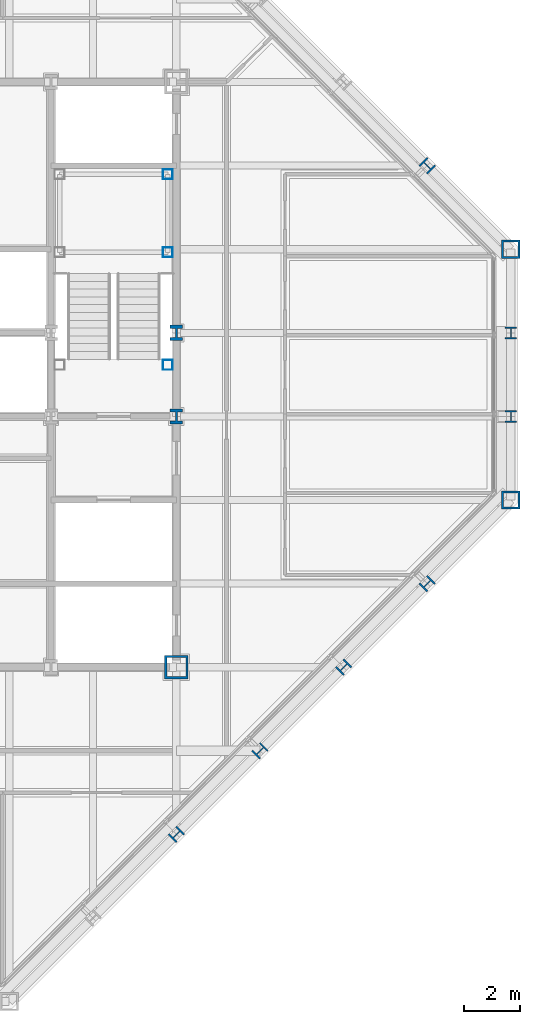
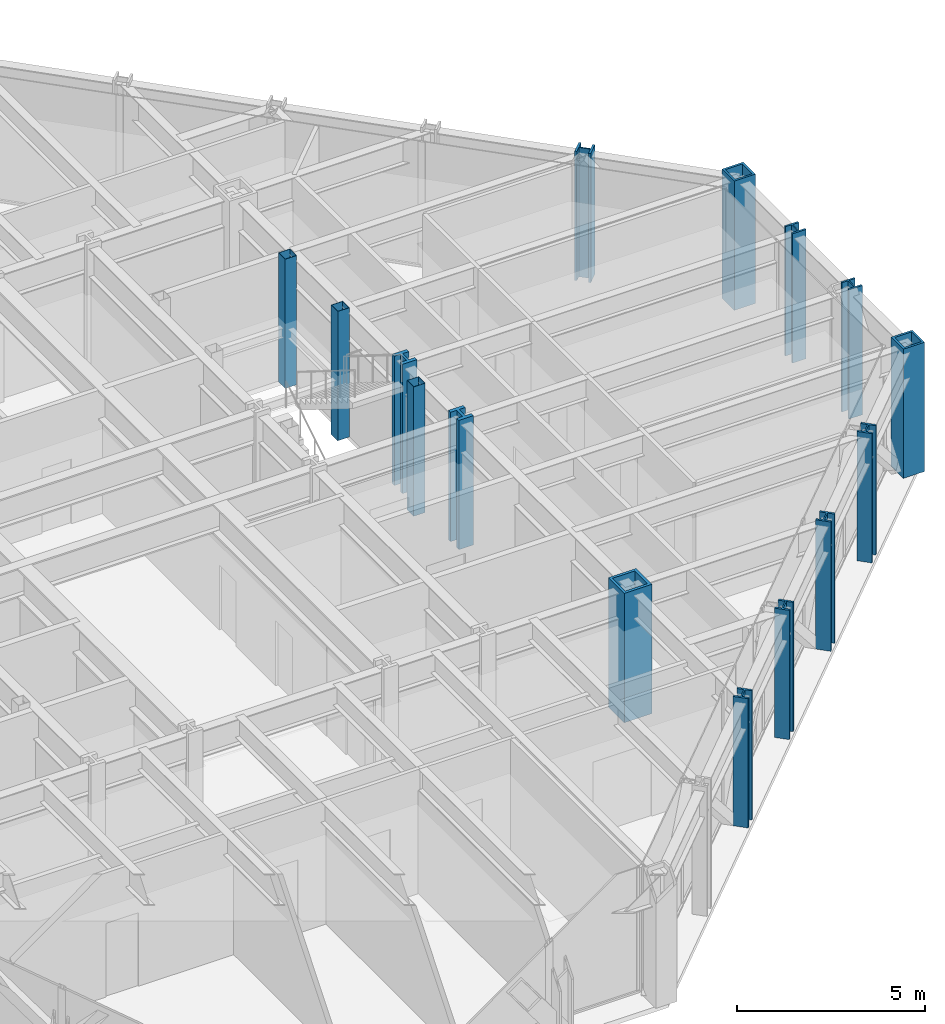
# One storey, part 3 of 15: 15 columns.
"""IFC4 building model written with IfcOpenShell, lengths in metres."""

from ifc_helpers import new_model, si_unit, direction, frame, origin, origin_2d, place, context, subcontext, project, spatial, hollow_rectangle, i_section, extrude, material, material_profile, profile_set, type_object, element, save


model = new_model("IFC4")

# Units and contexts
model_context = context("Model", 3, precision=1e-05, world=origin(), true_north=direction((0.0, 1.0)))
body_context = subcontext(model_context, "Body", "Model", "MODEL_VIEW")
ifc_project = project(units=[si_unit("LENGTHUNIT", "METRE"), si_unit("AREAUNIT", "SQUARE_METRE"), si_unit("VOLUMEUNIT", "CUBIC_METRE"), si_unit("PLANEANGLEUNIT", "RADIAN"), si_unit("MASSUNIT", "GRAM", prefix="KILO")], contexts=[model_context])

# Site, building, storey
site_placement = place(None, origin())
site = spatial("IfcSite", under=ifc_project, at=site_placement, CompositionType="ELEMENT")
building_placement = place(site_placement, origin())
building = spatial("IfcBuilding", under=site, at=building_placement, Name="Chuquiago Exchange Tower", CompositionType="ELEMENT")
storey_placement = place(building_placement, frame((0.0, 0.0, 270.60009765625)))
storey = spatial("IfcBuildingStorey", under=building, at=storey_placement, Name="L60", CompositionType="ELEMENT", Elevation=270.60009765625)

# Columns
ifc_material_1 = material(Name="Steel ASTM A992", Category="steel")
ifc_material_profile_1 = material_profile(ifc_material_1, i_section(OverallWidth=0.411376953125, OverallDepth=0.434326171875, WebThickness=0.035888671875, FlangeThickness=0.057373046875, at=origin_2d()), Name="W14X311")
ifc_profile_set_1 = profile_set([ifc_material_profile_1], Name="Steel ASTM A992")
column_type_1 = type_object("IfcColumnType", Name="C5 W14X311", PredefinedType="COLUMN", material=ifc_profile_set_1)
for number, where, z_axis, x_axis, name in (
    (1, (45.0, 21.0, 0.0), (0.0, 0.0, 1.0), (1.0, 0.0, 0.0), "COL-L60-45_21"),
    (2, (45.0, 24.0, 0.0), (0.0, 0.0, 1.0), (1.0, 0.0, 0.0), "COL-L60-45_24"),
):
    element("IfcColumn", number, at=place(storey_placement, frame(where, z_axis=z_axis, x_axis=x_axis)), inside=storey, type_object=column_type_1, Name=name, PredefinedType="COLUMN", context=body_context, shape_type="SweptSolid", body=[
        extrude(i_section(OverallWidth=0.411376953125, OverallDepth=0.434326171875, WebThickness=0.035888671875, FlangeThickness=0.057373046875, at=origin_2d()), origin(), (0.0, 0.0, 1.0), 4.199951171875),
    ])
ifc_material_2 = material(Name="Steel ASTM A992", Category="steel")
ifc_material_profile_2 = material_profile(ifc_material_2, i_section(OverallWidth=0.449462890625, OverallDepth=0.548583984375, WebThickness=0.07177734375, FlangeThickness=0.11474609375, at=origin_2d()), Name="W14X665")
ifc_profile_set_2 = profile_set([ifc_material_profile_2], Name="Steel ASTM A992")
column_type_2 = type_object("IfcColumnType", Name="CC5 W14X665", PredefinedType="COLUMN", material=ifc_profile_set_2)
for number, where, z_axis, x_axis, name in (
    (3, (33.0, 21.0, 0.0), (0.0, 0.0, 1.0), (1.0, 0.0, 0.0), "CCOL-L60-33_21"),
    (4, (33.0, 24.0, 0.0), (0.0, 0.0, 1.0), (1.0, 0.0, 0.0), "CCOL-L60-33_24"),
):
    element("IfcColumn", number, at=place(storey_placement, frame(where, z_axis=z_axis, x_axis=x_axis)), inside=storey, type_object=column_type_2, Name=name, PredefinedType="COLUMN", context=body_context, shape_type="SweptSolid", body=[
        extrude(i_section(OverallWidth=0.449462890625, OverallDepth=0.548583984375, WebThickness=0.07177734375, FlangeThickness=0.11474609375, at=origin_2d()), origin(), (0.0, 0.0, 1.0), 4.199951171875),
    ])
ifc_material_3 = material(Name="Steel ASTM A572 Grade 50", Category="steel")
ifc_material_profile_3 = material_profile(ifc_material_3, hollow_rectangle(XDim=0.85009765625, YDim=0.85009765625, WallThickness=0.0849609375, at=origin_2d()), Name="BOX850X850X85")
ifc_profile_set_3 = profile_set([ifc_material_profile_3], Name="Steel ASTM A572 Grade 50")
column_type_3 = type_object("IfcColumnType", Name="CC6 BOX850X850X85", PredefinedType="COLUMN", material=ifc_profile_set_3)
column_placement = place(storey_placement, frame((33.0, 12.0, 0.0), z_axis=(0.0, 0.0, 1.0), x_axis=(1.0, 0.0, 0.0)))
element("IfcColumn", 5, at=column_placement, inside=storey, type_object=column_type_3, Name="CCOL-L60-33_12", PredefinedType="COLUMN", context=body_context, shape_type="SweptSolid", body=[
    extrude(hollow_rectangle(XDim=0.85009765625, YDim=0.85009765625, WallThickness=0.0849609375, at=origin_2d()), origin(), (0.0, 0.0, 1.0), 4.199951171875),
])
ifc_material_4 = material(Name="Steel ASTM A992", Category="steel")
ifc_material_profile_4 = material_profile(ifc_material_4, i_section(OverallWidth=0.41650390625, OverallDepth=0.444580078125, WebThickness=0.0390625, FlangeThickness=0.062744140625, at=origin_2d()), Name="W14X342")
ifc_profile_set_4 = profile_set([ifc_material_profile_4], Name="Steel ASTM A992")
column_type_4 = type_object("IfcColumnType", Name="CK5 W14X342", PredefinedType="COLUMN", material=ifc_profile_set_4)
for number, where, z_axis, x_axis, name in (
    (6, (33.0, 6.0, 0.0), (0.0, 0.0, 1.0), (0.707106781187, -0.707106781187, 0.0), "COL-L60-33_6"),
    (7, (36.0, 9.0, 0.0), (0.0, 0.0, 1.0), (0.707106781187, -0.707106781187, 0.0), "COL-L60-36_9"),
    (8, (39.0, 12.0, 0.0), (0.0, 0.0, 1.0), (0.707106781187, -0.707106781187, 0.0), "COL-L60-39_12"),
    (9, (42.0, 15.0, 0.0), (0.0, 0.0, 1.0), (0.707106781187, -0.707106781187, 0.0), "COL-L60-42_15"),
    (10, (42.0, 30.0, 0.0), (0.0, 0.0, 1.0), (0.707106781187, 0.707106781187, 0.0), "COL-L60-42_30"),
):
    element("IfcColumn", number, at=place(storey_placement, frame(where, z_axis=z_axis, x_axis=x_axis)), inside=storey, type_object=column_type_4, Name=name, PredefinedType="COLUMN", context=body_context, shape_type="SweptSolid", body=[
        extrude(i_section(OverallWidth=0.41650390625, OverallDepth=0.444580078125, WebThickness=0.0390625, FlangeThickness=0.062744140625, at=origin_2d()), origin(), (0.0, 0.0, 1.0), 4.199951171875),
    ])
ifc_material_5 = material(Name="Steel ASTM A572 Grade 50", Category="steel")
ifc_material_profile_5 = material_profile(ifc_material_5, hollow_rectangle(XDim=0.64990234375, YDim=0.64990234375, WallThickness=0.06494140625, at=origin_2d()), Name="BOX650X650X65")
ifc_profile_set_5 = profile_set([ifc_material_profile_5], Name="Steel ASTM A572 Grade 50")
column_type_5 = type_object("IfcColumnType", Name="CN2 BOX650X650X65", PredefinedType="COLUMN", material=ifc_profile_set_5)
for number, where, z_axis, x_axis, name in (
    (11, (45.0, 18.0, 0.0), (0.0, 0.0, 1.0), (1.0, 0.0, 0.0), "COL-L60-45_18"),
    (12, (45.0, 27.0, 0.0), (0.0, 0.0, 1.0), (1.0, 0.0, 0.0), "COL-L60-45_27"),
):
    element("IfcColumn", number, at=place(storey_placement, frame(where, z_axis=z_axis, x_axis=x_axis)), inside=storey, type_object=column_type_5, Name=name, PredefinedType="COLUMN", context=body_context, shape_type="SweptSolid", body=[
        extrude(hollow_rectangle(XDim=0.64990234375, YDim=0.64990234375, WallThickness=0.06494140625, at=origin_2d()), origin(), (0.0, 0.0, 1.0), 4.199951171875),
    ])
ifc_material_6 = material(Name="Steel ASTM A500 Grade C", Category="steel")
ifc_material_profile_6 = material_profile(ifc_material_6, hollow_rectangle(XDim=0.355712890625, YDim=0.355712890625, WallThickness=0.0087890625, at=origin_2d()), Name="HSS14X14X3/8")
ifc_profile_set_6 = profile_set([ifc_material_profile_6], Name="Steel ASTM A500 Grade C")
column_type_6 = type_object("IfcColumnType", Name="PT1 HSS14X14X3/8", PredefinedType="COLUMN", material=ifc_profile_set_6)
for number, where, z_axis, x_axis, name in (
    (13, (32.68994140625, 29.68994140625, 0.0), (0.0, 0.0, 1.0), (1.0, 0.0, 0.0), "Stair ST2 L60 landing post"),
    (14, (32.68994140625, 26.889892578125, 0.0), (0.0, 0.0, 1.0), (1.0, 0.0, 0.0), "Stair ST2 L60 landing post"),
    (15, (32.68994140625, 22.85009765625, 0.0), (0.0, 0.0, 1.0), (1.0, 0.0, 0.0), "Stair ST2 L60 landing post"),
):
    element("IfcColumn", number, at=place(storey_placement, frame(where, z_axis=z_axis, x_axis=x_axis)), inside=storey, type_object=column_type_6, Name=name, PredefinedType="COLUMN", context=body_context, shape_type="SweptSolid", body=[
        extrude(hollow_rectangle(XDim=0.355712890625, YDim=0.355712890625, WallThickness=0.0087890625, at=origin_2d()), origin(), (0.0, 0.0, 1.0), 4.199951171875),
    ])

save(model, "model.ifc")
